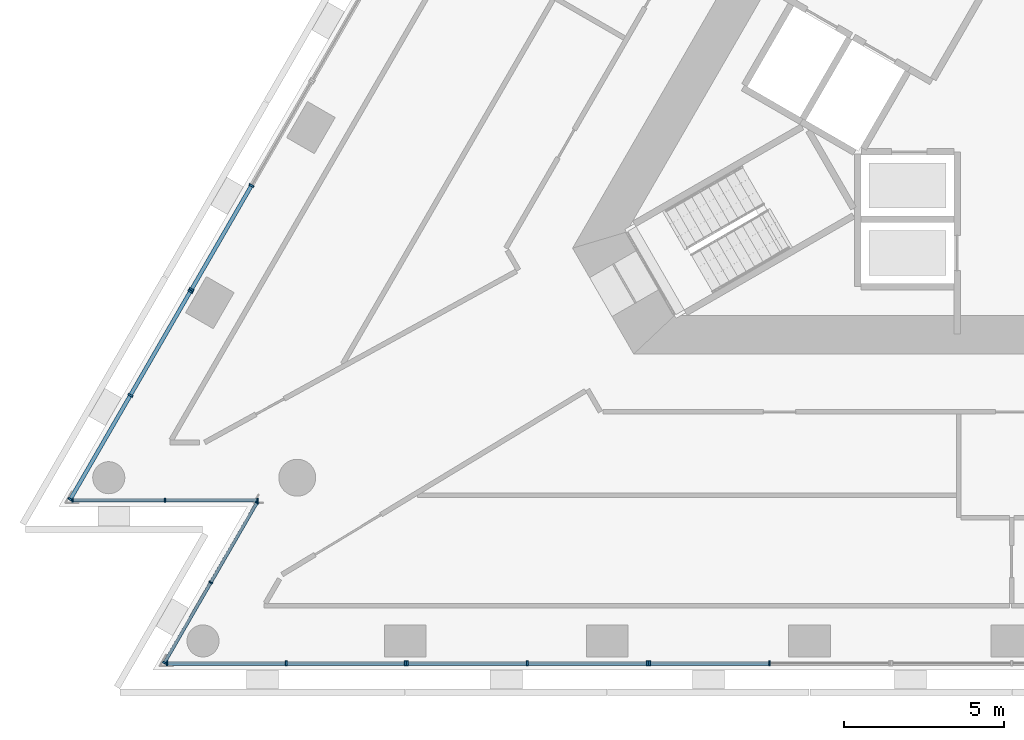
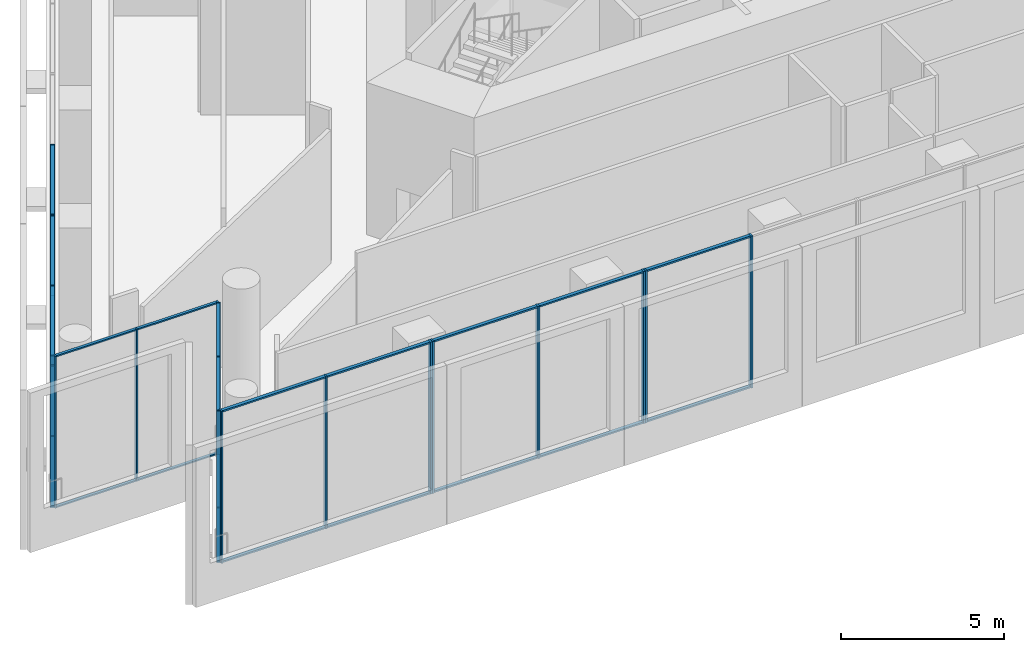
# One storey, part 2 of 18: 43 members, 7 elements without a shape of their own.
"""IFC4 building model written with IfcOpenShell, lengths in metres."""

import ifcopenshell
import ifcopenshell.guid

model = None  # the IFC model being written
_history = None  # IfcOwnerHistory: only IFC2X3 demands one
_inside = {}  # id of a spatial element -> (the spatial element, [elements in it])
_under = {}  # id of a project, library or spatial element -> (it, [spatial elements below it])
_declared = {}  # id of a project -> (the project, [libraries it declares])
_typed = {}  # id of a type object -> (the type object, [elements of that type])
_made_of = {}  # id of a material, layer set ... -> (it, [elements and type objects made of it])


def new_model(schema):
    """Start an empty IFC model of exactly this schema.

    Asked for "IFC4X3", IfcOpenShell would pick the latest addendum, in which some entities
    have other attributes; the version numbers below select the first issue.
    IFC2X3 requires an IfcOwnerHistory on every rooted entity: one is made here for all.
    """
    global model, _history
    if schema == "IFC4X3":
        model = ifcopenshell.file(schema_version=(4, 3, 0, 0))
    else:
        model = ifcopenshell.file(schema=schema)
    _inside.clear()
    _under.clear()
    _declared.clear()
    _typed.clear()
    _made_of.clear()
    _history = None
    if model.schema == "IFC2X3":
        org = make("IfcOrganization", Name="unknown")
        user = make(
            "IfcPersonAndOrganization",
            ThePerson=make("IfcPerson", FamilyName="unknown"),
            TheOrganization=org,
        )
        app = make(
            "IfcApplication",
            ApplicationDeveloper=org,
            Version="unknown",
            ApplicationFullName="unknown",
            ApplicationIdentifier="unknown",
        )
        _history = make(
            "IfcOwnerHistory",
            OwningUser=user,
            OwningApplication=app,
            ChangeAction="ADDED",
            CreationDate=0,
        )
    return model


def make(cls, **values):
    """One entity of the class cls with the attributes given. An attribute that is None is left unset."""
    return model.create_entity(
        cls, **{name: value for name, value in values.items() if value is not None}
    )


def rooted(cls, **values):
    """An entity with a GlobalId (a new one), such as an element, a storey or a relation."""
    return make(cls, GlobalId=ifcopenshell.guid.new(), OwnerHistory=_history, **values)


def si_unit(unit_type, name, prefix=None):
    """IfcSIUnit, for example si_unit("LENGTHUNIT", "METRE", prefix="MILLI")."""
    return make("IfcSIUnit", UnitType=unit_type, Prefix=prefix, Name=name)


def assignment(units):
    """IfcUnitAssignment: the units of a project."""
    return None if units is None else make("IfcUnitAssignment", Units=units)


def point(xyz):
    """IfcCartesianPoint."""
    return None if xyz is None else make("IfcCartesianPoint", Coordinates=xyz)


def direction(xyz):
    """IfcDirection."""
    return None if xyz is None else make("IfcDirection", DirectionRatios=xyz)


def frame(location, z_axis=None, x_axis=None):
    """IfcAxis2Placement3D, a coordinate frame: its origin and axes. An axis left out is left unset."""
    return make(
        "IfcAxis2Placement3D",
        Location=point(location),
        Axis=direction(z_axis),
        RefDirection=direction(x_axis),
    )


def frame_2d(location, x_axis=None):
    """IfcAxis2Placement2D, a coordinate frame in the plane: its origin and x axis."""
    return make(
        "IfcAxis2Placement2D", Location=point(location), RefDirection=direction(x_axis)
    )


def origin():
    """The frame at (0, 0, 0) with its axes left unset."""
    return frame((0.0, 0.0, 0.0))


def origin_2d():
    """The frame at (0, 0) in the plane with its x axis left unset."""
    return frame_2d((0.0, 0.0))


def place(relative_to, where):
    """IfcLocalPlacement: puts the frame where relative to a parent placement (None: the world)."""
    return make(
        "IfcLocalPlacement", PlacementRelTo=relative_to, RelativePlacement=where
    )


def context(
    kind, dimensions, precision=None, world=None, true_north=None, identifier=None
):
    """IfcGeometricRepresentationContext, for example the 3D "Model" context."""
    return make(
        "IfcGeometricRepresentationContext",
        ContextIdentifier=identifier,
        ContextType=kind,
        CoordinateSpaceDimension=dimensions,
        Precision=precision,
        WorldCoordinateSystem=world,
        TrueNorth=true_north,
    )


def subcontext(parent, identifier, kind, view, scale=None):
    """IfcGeometricRepresentationSubContext, for example "Body" below "Model"."""
    return make(
        "IfcGeometricRepresentationSubContext",
        ContextIdentifier=identifier,
        ContextType=kind,
        ParentContext=parent,
        TargetScale=scale,
        TargetView=view,
    )


def project(units=None, contexts=None):
    """IfcProject with its units and contexts."""
    return rooted(
        "IfcProject",
        Name="project",
        RepresentationContexts=contexts,
        UnitsInContext=assignment(units),
    )


def spatial(cls, under=None, at=None, **own):
    """A site, building, storey or space (cls), placed at a placement, below another one or the project."""
    s = rooted(cls, ObjectPlacement=at, **own)
    if under is not None:
        _under.setdefault(under.id(), (under, []))[1].append(s)
    return s


def profile(cls, at=None, kind="AREA", **sizes):
    """A parametric profile (cls). Its sizes go by their IFC names, for example OverallWidth=200.0."""
    return make(cls, ProfileType=kind, Position=at, **sizes)


def rectangle(**sizes):
    """IfcRectangleProfileDef."""
    return profile("IfcRectangleProfileDef", **sizes)


def extrude(swept, where, along, depth):
    """IfcExtrudedAreaSolid: the profile swept, set in the frame where, extruded along a direction by depth."""
    return make(
        "IfcExtrudedAreaSolid",
        SweptArea=swept,
        Position=where,
        ExtrudedDirection=direction(along),
        Depth=depth,
    )


def shape(context_of_items, identifier, shape_type, items):
    """IfcShapeRepresentation: the items that make up one representation, for example the "Body"."""
    return make(
        "IfcShapeRepresentation",
        ContextOfItems=context_of_items,
        RepresentationIdentifier=identifier,
        RepresentationType=shape_type,
        Items=items,
    )


def material(Name=None, Category=None):
    """IfcMaterial."""
    return make("IfcMaterial", Name=Name, Category=Category)


def layer(
    of_material, thickness, ventilated=None, Name=None, Category=None, Priority=None
):
    """IfcMaterialLayer: one layer of a wall or slab, of a material (None: an air gap)."""
    return make(
        "IfcMaterialLayer",
        Material=of_material,
        LayerThickness=thickness,
        IsVentilated=ventilated,
        Name=Name,
        Category=Category,
        Priority=Priority,
    )


def layer_set(layers, Name=None):
    """IfcMaterialLayerSet."""
    return make("IfcMaterialLayerSet", MaterialLayers=layers, LayerSetName=Name)


def material_profile(
    of_material, cross_section, Name=None, Category=None, Priority=None
):
    """IfcMaterialProfile: a cross section and its material."""
    return make(
        "IfcMaterialProfile",
        Name=Name,
        Material=of_material,
        Profile=cross_section,
        Priority=Priority,
        Category=Category,
    )


def profile_set(profiles, Name=None, composite=None):
    """IfcMaterialProfileSet."""
    return make(
        "IfcMaterialProfileSet",
        Name=Name,
        MaterialProfiles=profiles,
        CompositeProfile=composite,
    )


def made_of(thing, what):
    """Note that an element or type object is made of a material, layer set ...; save() writes the relation."""
    if what is not None:
        _made_of.setdefault(what.id(), (what, []))[1].append(thing)
    return thing


def type_object(cls, material=None, **own):
    """A type object (cls), such as IfcWallType, which elements share."""
    return made_of(rooted(cls, **own), material)


def element(
    cls,
    number,
    at=None,
    inside=None,
    cuts=None,
    type_object=None,
    material=None,
    context=None,
    identifier="Body",
    shape_type=None,
    held_by="IfcProductDefinitionShape",
    body=None,
    shapes=None,
    **own,
):
    """One element of the class cls, such as IfcWall. Its Tag is "e" and its number.

    at: its placement. inside: the storey or other place that contains it. cuts: it is an
    opening in that element (IfcRelVoidsElement). A single representation is given by context,
    identifier, shape_type and body (its items); several are given by shapes. held_by: the class
    of the entity that holds the representations. save() writes the other relations.
    """
    e = rooted(cls, Tag="e%d" % number, ObjectPlacement=at, **own)
    if body is not None:
        shapes = [shape(context, identifier, shape_type, body)]
    if shapes is not None:
        e.Representation = make(held_by, Representations=shapes)
    if inside is not None:
        _inside.setdefault(inside.id(), (inside, []))[1].append(e)
    if cuts is not None:
        rooted(
            "IfcRelVoidsElement", RelatingBuildingElement=cuts, RelatedOpeningElement=e
        )
    if type_object is not None:
        _typed.setdefault(type_object.id(), (type_object, []))[1].append(e)
    return made_of(e, material)


def aggregate(whole, parts):
    """IfcRelAggregates: a whole, such as a stair, and the parts it consists of."""
    return rooted("IfcRelAggregates", RelatingObject=whole, RelatedObjects=parts)


def save(model, path):
    """Write the relations noted so far, then the file.

    IfcRelAggregates (storeys below a building ...), IfcRelContainedInSpatialStructure (elements
    in a storey), IfcRelDefinesByType, IfcRelAssociatesMaterial and IfcRelDeclares: one each for
    every whole, place, type object, material and project.
    """
    for whole, parts in _under.values():
        aggregate(whole, parts)
    for where, things in _inside.values():
        rooted(
            "IfcRelContainedInSpatialStructure",
            RelatedElements=things,
            RelatingStructure=where,
        )
    for kind, things in _typed.values():
        rooted("IfcRelDefinesByType", RelatedObjects=things, RelatingType=kind)
    for what, things in _made_of.values():
        rooted("IfcRelAssociatesMaterial", RelatedObjects=things, RelatingMaterial=what)
    for by, libraries in _declared.values():
        rooted("IfcRelDeclares", RelatingContext=by, RelatedDefinitions=libraries)
    model.write(path)


model = new_model("IFC4")

# Units and contexts
model_context = context("Model", 3, precision=1e-05, world=origin(), true_north=direction((0.0, 1.0)))
body_context = subcontext(model_context, "Body", "Model", "MODEL_VIEW")
ifc_project = project(units=[si_unit("LENGTHUNIT", "METRE"), si_unit("AREAUNIT", "SQUARE_METRE"), si_unit("VOLUMEUNIT", "CUBIC_METRE"), si_unit("PLANEANGLEUNIT", "RADIAN"), si_unit("MASSUNIT", "GRAM", prefix="KILO")], contexts=[model_context])

# Site, building, storey
site_placement = place(None, origin())
site = spatial("IfcSite", under=ifc_project, at=site_placement, CompositionType="ELEMENT")
building_placement = place(site_placement, origin())
building = spatial("IfcBuilding", under=site, at=building_placement, Name="Triada Interchange Tower", CompositionType="ELEMENT")
storey_placement = place(building_placement, frame((0.0, 0.0, 185.300048828125)))
storey = spatial("IfcBuildingStorey", under=building, at=storey_placement, Name="L43", CompositionType="ELEMENT", Elevation=185.300048828125)

# Curtain wall, members
ifc_material_1 = material(Name="Aluminium framed glazing", Category="aluminium")
ifc_layer_1 = layer(ifc_material_1, 0.199951171875)
ifc_layer_set_1 = layer_set([ifc_layer_1], Name="Curtain wall Sky lobby glazing")
curtain_wall_type_1 = type_object("IfcCurtainWallType", Name="Curtain wall Sky lobby glazing", PredefinedType="NOTDEFINED", material=ifc_layer_set_1)
curtain_wall_1_placement = place(storey_placement, origin())
curtain_wall_1 = element("IfcCurtainWall", 1, at=curtain_wall_1_placement, inside=storey, type_object=curtain_wall_type_1, Name="Sky lobby glazing CW106 L43", PredefinedType="NOTDEFINED")
ifc_material_2 = material(Name="Aluminium", Category="aluminium")
ifc_material_profile_1 = material_profile(ifc_material_2, rectangle(XDim=0.159912109375, YDim=0.06005859375, at=origin_2d()), Name="Aluminium mullion")
ifc_profile_set_1 = profile_set([ifc_material_profile_1], Name="Aluminium")
member_type_1 = type_object("IfcMemberType", Name="Mullion Sky lobby glazing 160x60", PredefinedType="MULLION", material=ifc_profile_set_1)
member_1_placement = place(storey_placement, frame((-23.6904296875, -3.75048828125, 0.0), z_axis=(0.0, 0.0, 1.0), x_axis=(0.86598893184, -0.500063165941, 0.0)))
member_1 = element("IfcMember", 2, at=member_1_placement, type_object=member_type_1, Name="CW106 mullion 2", PredefinedType="MULLION", context=body_context, shape_type="SweptSolid", body=[
    extrude(rectangle(XDim=0.159912109375, YDim=0.06005859375, at=origin_2d()), origin(), (0.0, 0.0, 1.0), 5.699951171875),
])
member_2_placement = place(storey_placement, frame((-25.56005859375, -6.988037109375, 0.0), z_axis=(0.0, 0.0, 1.0), x_axis=(0.86598893184, -0.500063165941, 0.0)))
member_2 = element("IfcMember", 3, at=member_2_placement, type_object=member_type_1, Name="CW106 mullion 3", PredefinedType="MULLION", context=body_context, shape_type="SweptSolid", body=[
    extrude(rectangle(XDim=0.159912109375, YDim=0.06005859375, at=origin_2d()), origin(), (0.0, 0.0, 1.0), 5.699951171875),
])

curtain_wall_2_placement = place(storey_placement, origin())
curtain_wall_2 = element("IfcCurtainWall", 4, at=curtain_wall_2_placement, inside=storey, type_object=curtain_wall_type_1, Name="Sky lobby glazing CW107 L43", PredefinedType="NOTDEFINED")
member_3_placement = place(storey_placement, frame((-25.594970703125, -7.049072265625, 0.0), z_axis=(0.0, 0.0, 1.0), x_axis=(0.866006720076, -0.500032359736, 0.0)))
member_3 = element("IfcMember", 5, at=member_3_placement, type_object=member_type_1, Name="CW107 mullion 1", PredefinedType="MULLION", context=body_context, shape_type="SweptSolid", body=[
    extrude(rectangle(XDim=0.159912109375, YDim=0.06005859375, at=origin_2d()), origin(), (0.0, 0.0, 1.0), 5.699951171875),
])
member_4_placement = place(storey_placement, frame((-27.465576171875, -10.28857421875, 0.0), z_axis=(0.0, 0.0, 1.0), x_axis=(0.866006720076, -0.500032359736, 0.0)))
member_4 = element("IfcMember", 6, at=member_4_placement, type_object=member_type_1, Name="CW107 mullion 2", PredefinedType="MULLION", context=body_context, shape_type="SweptSolid", body=[
    extrude(rectangle(XDim=0.159912109375, YDim=0.06005859375, at=origin_2d()), origin(), (0.0, 0.0, 1.0), 5.699951171875),
])
member_5_placement = place(storey_placement, frame((-29.3359375, -13.528076171875, 0.0), z_axis=(0.0, 0.0, 1.0), x_axis=(0.866006720076, -0.500032359736, 0.0)))
member_5 = element("IfcMember", 7, at=member_5_placement, type_object=member_type_1, Name="CW107 mullion 3", PredefinedType="MULLION", context=body_context, shape_type="SweptSolid", body=[
    extrude(rectangle(XDim=0.159912109375, YDim=0.06005859375, at=origin_2d()), origin(), (0.0, 0.0, 1.0), 5.699951171875),
])

curtain_wall_3_placement = place(storey_placement, origin())
curtain_wall_3 = element("IfcCurtainWall", 8, at=curtain_wall_3_placement, inside=storey, type_object=curtain_wall_type_1, Name="Sky lobby glazing CW110 L43", PredefinedType="NOTDEFINED")
member_6_placement = place(storey_placement, frame((-26.323974609375, -18.64111328125, 0.0), z_axis=(0.0, 0.0, 1.0), x_axis=(0.0, 1.0, 0.0)))
member_6 = element("IfcMember", 9, at=member_6_placement, type_object=member_type_1, Name="CW110 mullion 1", PredefinedType="MULLION", context=body_context, shape_type="SweptSolid", body=[
    extrude(rectangle(XDim=0.159912109375, YDim=0.06005859375, at=origin_2d()), origin(), (0.0, 0.0, 1.0), 5.699951171875),
])
member_7_placement = place(storey_placement, frame((-22.613037109375, -18.64111328125, 0.0), z_axis=(0.0, 0.0, 1.0), x_axis=(0.0, 1.0, 0.0)))
member_7 = element("IfcMember", 10, at=member_7_placement, type_object=member_type_1, Name="CW110 mullion 2", PredefinedType="MULLION", context=body_context, shape_type="SweptSolid", body=[
    extrude(rectangle(XDim=0.159912109375, YDim=0.06005859375, at=origin_2d()), origin(), (0.0, 0.0, 1.0), 5.699951171875),
])
member_8_placement = place(storey_placement, frame((-18.902099609375, -18.64111328125, 0.0), z_axis=(0.0, 0.0, 1.0), x_axis=(0.0, 1.0, 0.0)))
member_8 = element("IfcMember", 11, at=member_8_placement, type_object=member_type_1, Name="CW110 mullion 3", PredefinedType="MULLION", context=body_context, shape_type="SweptSolid", body=[
    extrude(rectangle(XDim=0.159912109375, YDim=0.06005859375, at=origin_2d()), origin(), (0.0, 0.0, 1.0), 5.699951171875),
])

curtain_wall_4_placement = place(storey_placement, origin())
curtain_wall_4 = element("IfcCurtainWall", 12, at=curtain_wall_4_placement, inside=storey, type_object=curtain_wall_type_1, Name="Sky lobby glazing CW111 L43", PredefinedType="NOTDEFINED")
member_9_placement = place(storey_placement, frame((-18.83203125, -18.64111328125, 0.0), z_axis=(0.0, 0.0, 1.0), x_axis=(0.0, 1.0, 0.0)))
member_9 = element("IfcMember", 13, at=member_9_placement, type_object=member_type_1, Name="CW111 mullion 1", PredefinedType="MULLION", context=body_context, shape_type="SweptSolid", body=[
    extrude(rectangle(XDim=0.159912109375, YDim=0.06005859375, at=origin_2d()), origin(), (0.0, 0.0, 1.0), 5.699951171875),
])
member_10_placement = place(storey_placement, frame((-15.093505859375, -18.64111328125, 0.0), z_axis=(0.0, 0.0, 1.0), x_axis=(0.0, 1.0, 0.0)))
member_10 = element("IfcMember", 14, at=member_10_placement, type_object=member_type_1, Name="CW111 mullion 2", PredefinedType="MULLION", context=body_context, shape_type="SweptSolid", body=[
    extrude(rectangle(XDim=0.159912109375, YDim=0.06005859375, at=origin_2d()), origin(), (0.0, 0.0, 1.0), 5.699951171875),
])
member_11_placement = place(storey_placement, frame((-11.35498046875, -18.64111328125, 0.0), z_axis=(0.0, 0.0, 1.0), x_axis=(0.0, 1.0, 0.0)))
member_11 = element("IfcMember", 15, at=member_11_placement, type_object=member_type_1, Name="CW111 mullion 3", PredefinedType="MULLION", context=body_context, shape_type="SweptSolid", body=[
    extrude(rectangle(XDim=0.159912109375, YDim=0.06005859375, at=origin_2d()), origin(), (0.0, 0.0, 1.0), 5.699951171875),
])

curtain_wall_5_placement = place(storey_placement, origin())
curtain_wall_5 = element("IfcCurtainWall", 16, at=curtain_wall_5_placement, inside=storey, type_object=curtain_wall_type_1, Name="Sky lobby glazing CW112 L43", PredefinedType="NOTDEFINED")
member_12_placement = place(storey_placement, frame((-11.284912109375, -18.64111328125, 0.0), z_axis=(0.0, 0.0, 1.0), x_axis=(0.0, 1.0, 0.0)))
member_12 = element("IfcMember", 17, at=member_12_placement, type_object=member_type_1, Name="CW112 mullion 1", PredefinedType="MULLION", context=body_context, shape_type="SweptSolid", body=[
    extrude(rectangle(XDim=0.159912109375, YDim=0.06005859375, at=origin_2d()), origin(), (0.0, 0.0, 1.0), 5.699951171875),
])
member_13_placement = place(storey_placement, frame((-7.54638671875, -18.64111328125, 0.0), z_axis=(0.0, 0.0, 1.0), x_axis=(0.0, 1.0, 0.0)))
member_13 = element("IfcMember", 18, at=member_13_placement, type_object=member_type_1, Name="CW112 mullion 2", PredefinedType="MULLION", context=body_context, shape_type="SweptSolid", body=[
    extrude(rectangle(XDim=0.159912109375, YDim=0.06005859375, at=origin_2d()), origin(), (0.0, 0.0, 1.0), 5.699951171875),
])

ifc_layer_2 = layer(ifc_material_1, 0.199951171875)
ifc_layer_set_2 = layer_set([ifc_layer_2], Name="Curtain wall Winter garden glazing")
curtain_wall_type_2 = type_object("IfcCurtainWallType", Name="Curtain wall Winter garden glazing", PredefinedType="NOTDEFINED", material=ifc_layer_set_2)
curtain_wall_6_placement = place(storey_placement, origin())
curtain_wall_6 = element("IfcCurtainWall", 19, at=curtain_wall_6_placement, inside=storey, type_object=curtain_wall_type_2, Name="Winter garden glazing CW108 L43", PredefinedType="NOTDEFINED")
ifc_material_profile_2 = material_profile(ifc_material_2, rectangle(XDim=0.1201171875, YDim=0.050048828125, at=origin_2d()), Name="Aluminium mullion")
ifc_profile_set_2 = profile_set([ifc_material_profile_2], Name="Aluminium")
member_type_2 = type_object("IfcMemberType", Name="Mullion Winter garden glazing 120x50", PredefinedType="MULLION", material=ifc_profile_set_2)
member_14_placement = place(storey_placement, frame((-29.26611328125, -13.553955078125, 0.0), z_axis=(0.0, 0.0, 1.0), x_axis=(0.0, 1.0, 0.0)))
member_14 = element("IfcMember", 20, at=member_14_placement, type_object=member_type_2, Name="CW108 mullion 1", PredefinedType="MULLION", context=body_context, shape_type="SweptSolid", body=[
    extrude(rectangle(XDim=0.1201171875, YDim=0.050048828125, at=origin_2d()), origin(), (0.0, 0.0, 1.0), 5.699951171875),
])
member_15_placement = place(storey_placement, frame((-26.384033203125, -13.553955078125, 0.0), z_axis=(0.0, 0.0, 1.0), x_axis=(0.0, 1.0, 0.0)))
member_15 = element("IfcMember", 21, at=member_15_placement, type_object=member_type_2, Name="CW108 mullion 2", PredefinedType="MULLION", context=body_context, shape_type="SweptSolid", body=[
    extrude(rectangle(XDim=0.1201171875, YDim=0.050048828125, at=origin_2d()), origin(), (0.0, 0.0, 1.0), 5.699951171875),
])
member_16_placement = place(storey_placement, frame((-23.501953125, -13.553955078125, 0.0), z_axis=(0.0, 0.0, 1.0), x_axis=(0.0, 1.0, 0.0)))
member_16 = element("IfcMember", 22, at=member_16_placement, type_object=member_type_2, Name="CW108 mullion 3", PredefinedType="MULLION", context=body_context, shape_type="SweptSolid", body=[
    extrude(rectangle(XDim=0.1201171875, YDim=0.050048828125, at=origin_2d()), origin(), (0.0, 0.0, 1.0), 5.699951171875),
])

curtain_wall_7_placement = place(storey_placement, origin())
curtain_wall_7 = element("IfcCurtainWall", 23, at=curtain_wall_7_placement, inside=storey, type_object=curtain_wall_type_2, Name="Winter garden glazing CW109 L43", PredefinedType="NOTDEFINED")
member_17_placement = place(storey_placement, frame((-23.51953125, -13.627685546875, 0.0), z_axis=(0.0, 0.0, 1.0), x_axis=(0.866022320766, -0.500005339907, 0.0)))
member_17 = element("IfcMember", 24, at=member_17_placement, type_object=member_type_2, Name="CW109 mullion 1", PredefinedType="MULLION", context=body_context, shape_type="SweptSolid", body=[
    extrude(rectangle(XDim=0.1201171875, YDim=0.050048828125, at=origin_2d()), origin(), (0.0, 0.0, 1.0), 5.699951171875),
])
member_18_placement = place(storey_placement, frame((-24.96044921875, -16.12353515625, 0.0), z_axis=(0.0, 0.0, 1.0), x_axis=(0.866022320766, -0.500005339907, 0.0)))
member_18 = element("IfcMember", 25, at=member_18_placement, type_object=member_type_2, Name="CW109 mullion 2", PredefinedType="MULLION", context=body_context, shape_type="SweptSolid", body=[
    extrude(rectangle(XDim=0.1201171875, YDim=0.050048828125, at=origin_2d()), origin(), (0.0, 0.0, 1.0), 5.699951171875),
])
member_19_placement = place(storey_placement, frame((-26.401611328125, -18.619384765625, 0.0), z_axis=(0.0, 0.0, 1.0), x_axis=(0.866022320766, -0.500005339907, 0.0)))
member_19 = element("IfcMember", 26, at=member_19_placement, type_object=member_type_2, Name="CW109 mullion 3", PredefinedType="MULLION", context=body_context, shape_type="SweptSolid", body=[
    extrude(rectangle(XDim=0.1201171875, YDim=0.050048828125, at=origin_2d()), origin(), (0.0, 0.0, 1.0), 5.699951171875),
])

# Member
ifc_material_profile_3 = material_profile(ifc_material_2, rectangle(XDim=0.1201171875, YDim=0.06005859375, at=origin_2d()), Name="Aluminium transom")
ifc_profile_set_3 = profile_set([ifc_material_profile_3], Name="Aluminium")
member_type_3 = type_object("IfcMemberType", Name="Transom Sky lobby glazing 120x60", PredefinedType="USERDEFINED", material=ifc_profile_set_3)
member_20_placement = place(storey_placement, frame((-23.70556640625, -3.7763671875, 0.030029296875), z_axis=(-0.500007781692, -0.866020910976, 0.0), x_axis=(0.866020910976, -0.500007781692, 0.0)))
member_20 = element("IfcMember", 27, at=member_20_placement, type_object=member_type_3, Name="CW106 transom 2.1", ObjectType="TRANSOM", PredefinedType="USERDEFINED", context=body_context, shape_type="SweptSolid", body=[
    extrude(rectangle(XDim=0.1201171875, YDim=0.06005859375, at=origin_2d()), origin(), (0.0, 0.0, 1.0), 3.6787109375),
])

member_21_placement = place(storey_placement, frame((-23.70556640625, -3.7763671875, 5.669921875), z_axis=(-0.500007781692, -0.866020910976, 0.0), x_axis=(0.866020910976, -0.500007781692, 0.0)))
member_21 = element("IfcMember", 28, at=member_21_placement, type_object=member_type_3, Name="CW106 transom 2.2", ObjectType="TRANSOM", PredefinedType="USERDEFINED", context=body_context, shape_type="SweptSolid", body=[
    extrude(rectangle(XDim=0.1201171875, YDim=0.06005859375, at=origin_2d()), origin(), (0.0, 0.0, 1.0), 3.6787109375),
])

aggregate(curtain_wall_1, [member_1, member_2, member_20, member_21])

member_22_placement = place(storey_placement, frame((-25.610107421875, -7.074951171875, 0.030029296875), z_axis=(-0.50000571537, -0.866022103989, 0.0), x_axis=(0.866022103989, -0.50000571537, 0.0)))
member_22 = element("IfcMember", 29, at=member_22_placement, type_object=member_type_3, Name="CW107 transom 1.1", ObjectType="TRANSOM", PredefinedType="USERDEFINED", context=body_context, shape_type="SweptSolid", body=[
    extrude(rectangle(XDim=0.1201171875, YDim=0.06005859375, at=origin_2d()), origin(), (0.0, 0.0, 1.0), 3.6806640625),
])

member_23_placement = place(storey_placement, frame((-25.610107421875, -7.074951171875, 5.669921875), z_axis=(-0.50000571537, -0.866022103989, 0.0), x_axis=(0.866022103989, -0.50000571537, 0.0)))
member_23 = element("IfcMember", 30, at=member_23_placement, type_object=member_type_3, Name="CW107 transom 1.2", ObjectType="TRANSOM", PredefinedType="USERDEFINED", context=body_context, shape_type="SweptSolid", body=[
    extrude(rectangle(XDim=0.1201171875, YDim=0.06005859375, at=origin_2d()), origin(), (0.0, 0.0, 1.0), 3.6806640625),
])

member_24_placement = place(storey_placement, frame((-27.48046875, -10.314453125, 0.030029296875), z_axis=(-0.500055461028, -0.865993380977, 0.0), x_axis=(0.865993380977, -0.500055461028, 0.0)))
member_24 = element("IfcMember", 31, at=member_24_placement, type_object=member_type_3, Name="CW107 transom 2.1", ObjectType="TRANSOM", PredefinedType="USERDEFINED", context=body_context, shape_type="SweptSolid", body=[
    extrude(rectangle(XDim=0.1201171875, YDim=0.06005859375, at=origin_2d()), origin(), (0.0, 0.0, 1.0), 3.6806640625),
])

member_25_placement = place(storey_placement, frame((-27.48046875, -10.314453125, 5.669921875), z_axis=(-0.500055461028, -0.865993380977, 0.0), x_axis=(0.865993380977, -0.500055461028, 0.0)))
member_25 = element("IfcMember", 32, at=member_25_placement, type_object=member_type_3, Name="CW107 transom 2.2", ObjectType="TRANSOM", PredefinedType="USERDEFINED", context=body_context, shape_type="SweptSolid", body=[
    extrude(rectangle(XDim=0.1201171875, YDim=0.06005859375, at=origin_2d()), origin(), (0.0, 0.0, 1.0), 3.6806640625),
])

aggregate(curtain_wall_2, [member_3, member_4, member_5, member_22, member_23, member_24, member_25])

member_26_placement = place(storey_placement, frame((-26.2939453125, -18.64111328125, 0.030029296875), z_axis=(1.0, 0.0, 0.0), x_axis=(0.0, 1.0, 0.0)))
member_26 = element("IfcMember", 33, at=member_26_placement, type_object=member_type_3, Name="CW110 transom 1.1", ObjectType="TRANSOM", PredefinedType="USERDEFINED", context=body_context, shape_type="SweptSolid", body=[
    extrude(rectangle(XDim=0.1201171875, YDim=0.06005859375, at=origin_2d()), origin(), (0.0, 0.0, 1.0), 3.65087890625),
])

member_27_placement = place(storey_placement, frame((-26.2939453125, -18.64111328125, 5.669921875), z_axis=(1.0, 0.0, 0.0), x_axis=(0.0, 1.0, 0.0)))
member_27 = element("IfcMember", 34, at=member_27_placement, type_object=member_type_3, Name="CW110 transom 1.2", ObjectType="TRANSOM", PredefinedType="USERDEFINED", context=body_context, shape_type="SweptSolid", body=[
    extrude(rectangle(XDim=0.1201171875, YDim=0.06005859375, at=origin_2d()), origin(), (0.0, 0.0, 1.0), 3.65087890625),
])

member_28_placement = place(storey_placement, frame((-22.5830078125, -18.64111328125, 0.030029296875), z_axis=(1.0, 0.0, 0.0), x_axis=(0.0, 1.0, 0.0)))
member_28 = element("IfcMember", 35, at=member_28_placement, type_object=member_type_3, Name="CW110 transom 2.1", ObjectType="TRANSOM", PredefinedType="USERDEFINED", context=body_context, shape_type="SweptSolid", body=[
    extrude(rectangle(XDim=0.1201171875, YDim=0.06005859375, at=origin_2d()), origin(), (0.0, 0.0, 1.0), 3.651123046875),
])

member_29_placement = place(storey_placement, frame((-22.5830078125, -18.64111328125, 5.669921875), z_axis=(1.0, 0.0, 0.0), x_axis=(0.0, 1.0, 0.0)))
member_29 = element("IfcMember", 36, at=member_29_placement, type_object=member_type_3, Name="CW110 transom 2.2", ObjectType="TRANSOM", PredefinedType="USERDEFINED", context=body_context, shape_type="SweptSolid", body=[
    extrude(rectangle(XDim=0.1201171875, YDim=0.06005859375, at=origin_2d()), origin(), (0.0, 0.0, 1.0), 3.651123046875),
])

aggregate(curtain_wall_3, [member_6, member_7, member_8, member_26, member_27, member_28, member_29])

member_30_placement = place(storey_placement, frame((-18.802001953125, -18.64111328125, 0.030029296875), z_axis=(1.0, 0.0, 0.0), x_axis=(0.0, 1.0, 0.0)))
member_30 = element("IfcMember", 37, at=member_30_placement, type_object=member_type_3, Name="CW111 transom 1.1", ObjectType="TRANSOM", PredefinedType="USERDEFINED", context=body_context, shape_type="SweptSolid", body=[
    extrude(rectangle(XDim=0.1201171875, YDim=0.06005859375, at=origin_2d()), origin(), (0.0, 0.0, 1.0), 3.678466796875),
])

member_31_placement = place(storey_placement, frame((-18.802001953125, -18.64111328125, 5.669921875), z_axis=(1.0, 0.0, 0.0), x_axis=(0.0, 1.0, 0.0)))
member_31 = element("IfcMember", 38, at=member_31_placement, type_object=member_type_3, Name="CW111 transom 1.2", ObjectType="TRANSOM", PredefinedType="USERDEFINED", context=body_context, shape_type="SweptSolid", body=[
    extrude(rectangle(XDim=0.1201171875, YDim=0.06005859375, at=origin_2d()), origin(), (0.0, 0.0, 1.0), 3.678466796875),
])

member_32_placement = place(storey_placement, frame((-15.0634765625, -18.64111328125, 0.030029296875), z_axis=(1.0, 0.0, 0.0), x_axis=(0.0, 1.0, 0.0)))
member_32 = element("IfcMember", 39, at=member_32_placement, type_object=member_type_3, Name="CW111 transom 2.1", ObjectType="TRANSOM", PredefinedType="USERDEFINED", context=body_context, shape_type="SweptSolid", body=[
    extrude(rectangle(XDim=0.1201171875, YDim=0.06005859375, at=origin_2d()), origin(), (0.0, 0.0, 1.0), 3.678466796875),
])

member_33_placement = place(storey_placement, frame((-15.0634765625, -18.64111328125, 5.669921875), z_axis=(1.0, 0.0, 0.0), x_axis=(0.0, 1.0, 0.0)))
member_33 = element("IfcMember", 40, at=member_33_placement, type_object=member_type_3, Name="CW111 transom 2.2", ObjectType="TRANSOM", PredefinedType="USERDEFINED", context=body_context, shape_type="SweptSolid", body=[
    extrude(rectangle(XDim=0.1201171875, YDim=0.06005859375, at=origin_2d()), origin(), (0.0, 0.0, 1.0), 3.678466796875),
])

aggregate(curtain_wall_4, [member_9, member_10, member_11, member_30, member_31, member_32, member_33])

member_34_placement = place(storey_placement, frame((-11.2548828125, -18.64111328125, 0.030029296875), z_axis=(1.0, 0.0, 0.0), x_axis=(0.0, 1.0, 0.0)))
member_34 = element("IfcMember", 41, at=member_34_placement, type_object=member_type_3, Name="CW112 transom 1.1", ObjectType="TRANSOM", PredefinedType="USERDEFINED", context=body_context, shape_type="SweptSolid", body=[
    extrude(rectangle(XDim=0.1201171875, YDim=0.06005859375, at=origin_2d()), origin(), (0.0, 0.0, 1.0), 3.678466796875),
])

member_35_placement = place(storey_placement, frame((-11.2548828125, -18.64111328125, 5.669921875), z_axis=(1.0, 0.0, 0.0), x_axis=(0.0, 1.0, 0.0)))
member_35 = element("IfcMember", 42, at=member_35_placement, type_object=member_type_3, Name="CW112 transom 1.2", ObjectType="TRANSOM", PredefinedType="USERDEFINED", context=body_context, shape_type="SweptSolid", body=[
    extrude(rectangle(XDim=0.1201171875, YDim=0.06005859375, at=origin_2d()), origin(), (0.0, 0.0, 1.0), 3.678466796875),
])

aggregate(curtain_wall_5, [member_12, member_13, member_34, member_35])

ifc_material_profile_4 = material_profile(ifc_material_2, rectangle(XDim=0.10009765625, YDim=0.050048828125, at=origin_2d()), Name="Aluminium transom")
ifc_profile_set_4 = profile_set([ifc_material_profile_4], Name="Aluminium")
member_type_4 = type_object("IfcMemberType", Name="Transom Winter garden glazing 100x50", PredefinedType="USERDEFINED", material=ifc_profile_set_4)
member_36_placement = place(storey_placement, frame((-29.240966796875, -13.553955078125, 0.02490234375), z_axis=(1.0, 0.0, 0.0), x_axis=(0.0, 1.0, 0.0)))
member_36 = element("IfcMember", 43, at=member_36_placement, type_object=member_type_4, Name="CW108 transom 1.1", ObjectType="TRANSOM", PredefinedType="USERDEFINED", context=body_context, shape_type="SweptSolid", body=[
    extrude(rectangle(XDim=0.10009765625, YDim=0.050048828125, at=origin_2d()), origin(), (0.0, 0.0, 1.0), 2.83203125),
])

member_37_placement = place(storey_placement, frame((-29.240966796875, -13.553955078125, 5.675048828125), z_axis=(1.0, 0.0, 0.0), x_axis=(0.0, 1.0, 0.0)))
member_37 = element("IfcMember", 44, at=member_37_placement, type_object=member_type_4, Name="CW108 transom 1.2", ObjectType="TRANSOM", PredefinedType="USERDEFINED", context=body_context, shape_type="SweptSolid", body=[
    extrude(rectangle(XDim=0.10009765625, YDim=0.050048828125, at=origin_2d()), origin(), (0.0, 0.0, 1.0), 2.83203125),
])

member_38_placement = place(storey_placement, frame((-26.35888671875, -13.553955078125, 0.02490234375), z_axis=(1.0, 0.0, 0.0), x_axis=(0.0, 1.0, 0.0)))
member_38 = element("IfcMember", 45, at=member_38_placement, type_object=member_type_4, Name="CW108 transom 2.1", ObjectType="TRANSOM", PredefinedType="USERDEFINED", context=body_context, shape_type="SweptSolid", body=[
    extrude(rectangle(XDim=0.10009765625, YDim=0.050048828125, at=origin_2d()), origin(), (0.0, 0.0, 1.0), 2.831787109375),
])

member_39_placement = place(storey_placement, frame((-26.35888671875, -13.553955078125, 5.675048828125), z_axis=(1.0, 0.0, 0.0), x_axis=(0.0, 1.0, 0.0)))
member_39 = element("IfcMember", 46, at=member_39_placement, type_object=member_type_4, Name="CW108 transom 2.2", ObjectType="TRANSOM", PredefinedType="USERDEFINED", context=body_context, shape_type="SweptSolid", body=[
    extrude(rectangle(XDim=0.10009765625, YDim=0.050048828125, at=origin_2d()), origin(), (0.0, 0.0, 1.0), 2.831787109375),
])

aggregate(curtain_wall_6, [member_14, member_15, member_16, member_36, member_37, member_38, member_39])

member_40_placement = place(storey_placement, frame((-23.531982421875, -13.6494140625, 0.02490234375), z_axis=(-0.500033399229, -0.866006119872, 0.0), x_axis=(0.866006119872, -0.500033399229, 0.0)))
member_40 = element("IfcMember", 47, at=member_40_placement, type_object=member_type_4, Name="CW109 transom 1.1", ObjectType="TRANSOM", PredefinedType="USERDEFINED", context=body_context, shape_type="SweptSolid", body=[
    extrude(rectangle(XDim=0.10009765625, YDim=0.050048828125, at=origin_2d()), origin(), (0.0, 0.0, 1.0), 2.831787109375),
])

member_41_placement = place(storey_placement, frame((-23.531982421875, -13.6494140625, 5.675048828125), z_axis=(-0.500033399229, -0.866006119872, 0.0), x_axis=(0.866006119872, -0.500033399229, 0.0)))
member_41 = element("IfcMember", 48, at=member_41_placement, type_object=member_type_4, Name="CW109 transom 1.2", ObjectType="TRANSOM", PredefinedType="USERDEFINED", context=body_context, shape_type="SweptSolid", body=[
    extrude(rectangle(XDim=0.10009765625, YDim=0.050048828125, at=origin_2d()), origin(), (0.0, 0.0, 1.0), 2.831787109375),
])

member_42_placement = place(storey_placement, frame((-24.972900390625, -16.145263671875, 0.02490234375), z_axis=(-0.500033399229, -0.866006119872, 0.0), x_axis=(0.866006119872, -0.500033399229, 0.0)))
member_42 = element("IfcMember", 49, at=member_42_placement, type_object=member_type_4, Name="CW109 transom 2.1", ObjectType="TRANSOM", PredefinedType="USERDEFINED", context=body_context, shape_type="SweptSolid", body=[
    extrude(rectangle(XDim=0.10009765625, YDim=0.050048828125, at=origin_2d()), origin(), (0.0, 0.0, 1.0), 2.831787109375),
])

member_43_placement = place(storey_placement, frame((-24.972900390625, -16.145263671875, 5.675048828125), z_axis=(-0.500033399229, -0.866006119872, 0.0), x_axis=(0.866006119872, -0.500033399229, 0.0)))
member_43 = element("IfcMember", 50, at=member_43_placement, type_object=member_type_4, Name="CW109 transom 2.2", ObjectType="TRANSOM", PredefinedType="USERDEFINED", context=body_context, shape_type="SweptSolid", body=[
    extrude(rectangle(XDim=0.10009765625, YDim=0.050048828125, at=origin_2d()), origin(), (0.0, 0.0, 1.0), 2.831787109375),
])

aggregate(curtain_wall_7, [member_17, member_18, member_19, member_40, member_41, member_42, member_43])

save(model, "model.ifc")
